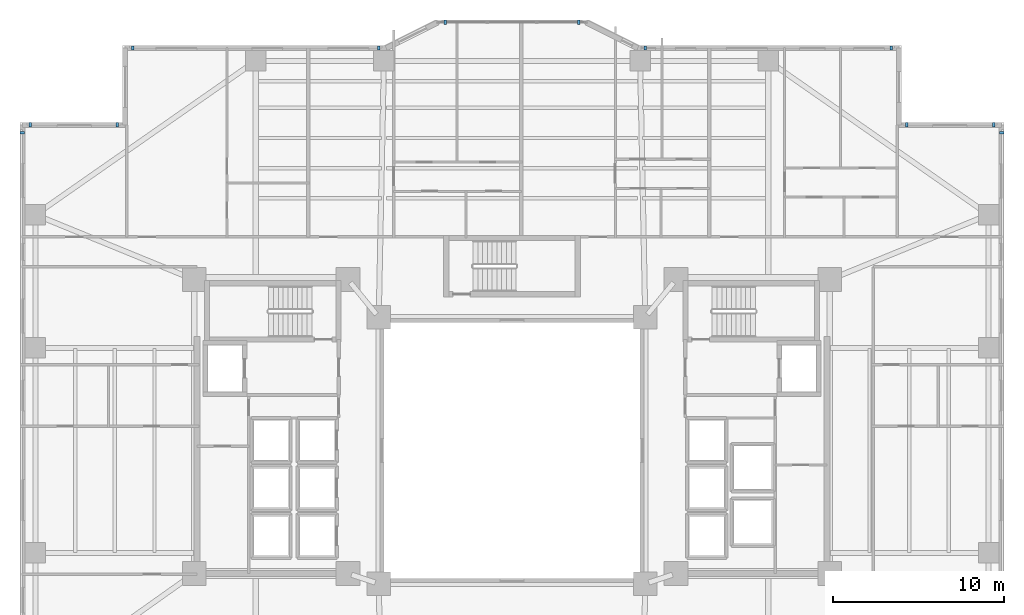
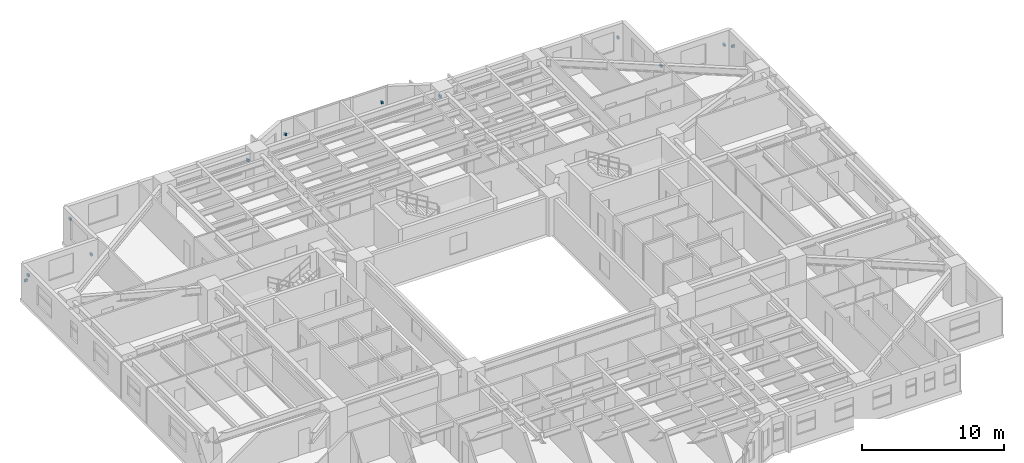
# One storey, part 18 of 21: 12 discrete accessories.
"""IFC4 building model written with IfcOpenShell, lengths in metres."""

from ifc_helpers import new_model, si_unit, direction, frame, origin, origin_2d, place, context, subcontext, project, spatial, rectangle, extrude, material, type_object, element, save


model = new_model("IFC4")

# Units and contexts
model_context = context("Model", 3, precision=1e-05, world=origin(), true_north=direction((0.0, 1.0)))
body_context = subcontext(model_context, "Body", "Model", "MODEL_VIEW")
ifc_project = project(units=[si_unit("LENGTHUNIT", "METRE"), si_unit("AREAUNIT", "SQUARE_METRE"), si_unit("VOLUMEUNIT", "CUBIC_METRE"), si_unit("PLANEANGLEUNIT", "RADIAN"), si_unit("MASSUNIT", "GRAM", prefix="KILO")], contexts=[model_context])

# Site, building, storey
site_placement = place(None, origin())
site = spatial("IfcSite", under=ifc_project, at=site_placement, CompositionType="ELEMENT")
building_placement = place(site_placement, origin())
building = spatial("IfcBuilding", under=site, at=building_placement, Name="Tarnavaz Court Tower", CompositionType="ELEMENT")
storey_placement = place(building_placement, frame((0.0, 0.0, 24.0)))
storey = spatial("IfcBuildingStorey", under=building, at=storey_placement, Name="L05", CompositionType="ELEMENT", Elevation=24.0)

# Discrete accessories
ifc_material = material(Name="Anodised Aluminium 6063-T6", Category="aluminium")
discrete_accessory_type = type_object("IfcDiscreteAccessoryType", Name="DA-BRKT-ALU", PredefinedType="BRACKET", material=ifc_material)
for number, where, z_axis, x_axis, name in (
    (1, (-28.669921875, 18.60009765625, 1.75), (0.0, 0.0, 1.0), (0.0, 1.0, 0.0), "L05 Baguette Outrigger Bracket FBG02-2"),
    (2, (-28.199951171875, 19.070068359375, 1.75), (0.0, 0.0, 1.0), (1.0, 0.0, 0.0), "L05 Baguette Outrigger Bracket FBG03-1"),
    (3, (-23.10009765625, 19.070068359375, 1.75), (0.0, 0.0, 1.0), (1.0, 0.0, 0.0), "L05 Baguette Outrigger Bracket FBG03-2"),
    (4, (-22.199951171875, 23.570068359375, 1.75), (0.0, 0.0, 1.0), (1.0, 0.0, 0.0), "L05 Baguette Outrigger Bracket FBG05-1"),
    (5, (-7.800048828125, 23.570068359375, 1.75), (0.0, 0.0, 1.0), (1.0, 0.0, 0.0), "L05 Baguette Outrigger Bracket FBG05-2"),
    (6, (-3.89990234375, 25.070068359375, 1.7001953125), (0.0, 0.0, 1.0), (1.0, 0.0, 0.0), "L05 Baguette Outrigger Bracket PBG7-1"),
    (7, (3.89990234375, 25.070068359375, 1.7001953125), (0.0, 0.0, 1.0), (1.0, 0.0, 0.0), "L05 Baguette Outrigger Bracket PBG7-2"),
    (8, (7.800048828125, 23.570068359375, 1.75), (0.0, 0.0, 1.0), (1.0, 0.0, 0.0), "L05 Baguette Outrigger Bracket FBG09-1"),
    (9, (22.199951171875, 23.570068359375, 1.75), (0.0, 0.0, 1.0), (1.0, 0.0, 0.0), "L05 Baguette Outrigger Bracket FBG09-2"),
    (10, (23.10009765625, 19.070068359375, 1.75), (0.0, 0.0, 1.0), (1.0, 0.0, 0.0), "L05 Baguette Outrigger Bracket FBG11-1"),
    (11, (28.199951171875, 19.070068359375, 1.75), (0.0, 0.0, 1.0), (1.0, 0.0, 0.0), "L05 Baguette Outrigger Bracket FBG11-2"),
    (12, (28.669921875, 18.60009765625, 1.75), (0.0, 0.0, 1.0), (0.0, -1.0, 0.0), "L05 Baguette Outrigger Bracket FBG12-1"),
):
    element("IfcDiscreteAccessory", number, at=place(storey_placement, frame(where, z_axis=z_axis, x_axis=x_axis)), inside=storey, type_object=discrete_accessory_type, Name=name, PredefinedType="BRACKET", context=body_context, shape_type="SweptSolid", body=[
        extrude(rectangle(XDim=0.139892578125, YDim=0.239990234375, at=origin_2d()), origin(), (0.0, 0.0, 1.0), 0.199951171875),
    ])

save(model, "model.ifc")
